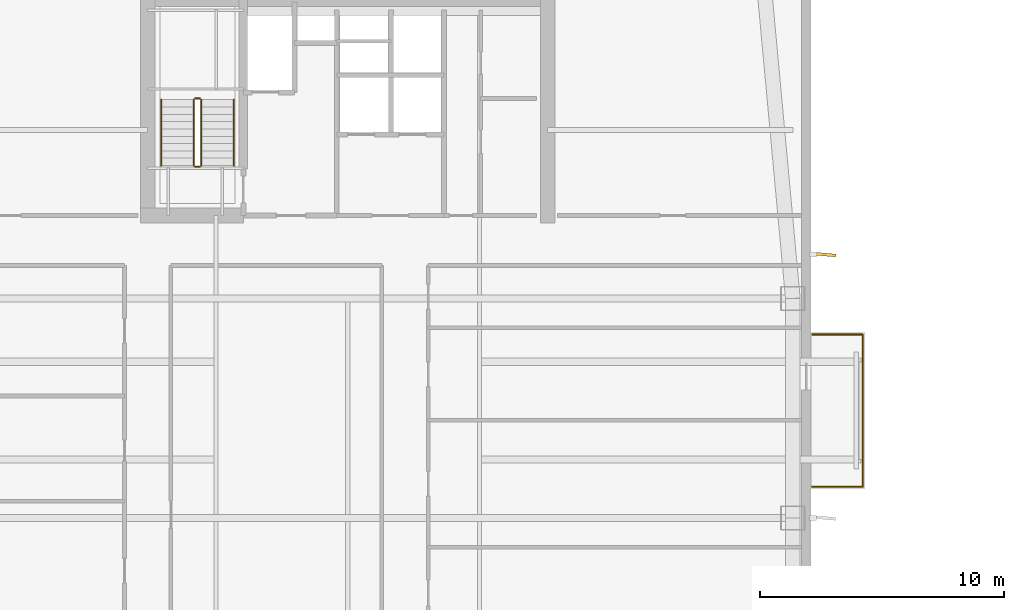
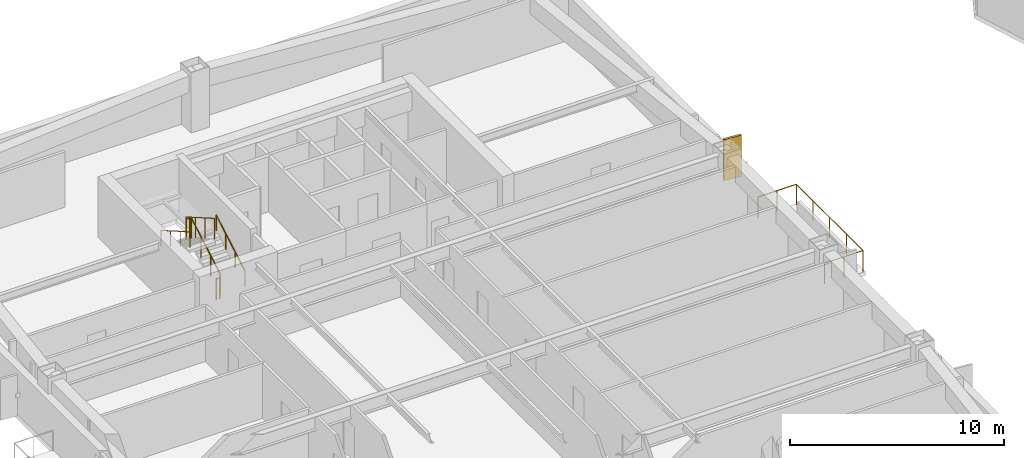
# One storey, part 21 of 23: 7 railings, 1 shading device.
"""IFC4 building model written with IfcOpenShell, lengths in metres."""

from ifc_helpers import new_model, si_unit, direction, frame, origin, origin_2d, place, context, subcontext, project, spatial, rectangle, circle, extrude, material, layer, layer_set, type_object, element, save


model = new_model("IFC4")

# Units and contexts
model_context = context("Model", 3, precision=1e-05, world=origin(), true_north=direction((0.0, 1.0)))
body_context = subcontext(model_context, "Body", "Model", "MODEL_VIEW")
ifc_project = project(units=[si_unit("LENGTHUNIT", "METRE"), si_unit("AREAUNIT", "SQUARE_METRE"), si_unit("VOLUMEUNIT", "CUBIC_METRE"), si_unit("PLANEANGLEUNIT", "RADIAN"), si_unit("MASSUNIT", "GRAM", prefix="KILO")], contexts=[model_context])

# Site, building, storey
site_placement = place(None, origin())
site = spatial("IfcSite", under=ifc_project, at=site_placement, CompositionType="ELEMENT")
building_placement = place(site_placement, origin())
building = spatial("IfcBuilding", under=site, at=building_placement, Name="Qiaolan Cultural Towers", CompositionType="ELEMENT")
storey_placement = place(building_placement, frame((0.0, 0.0, 100.050048828125)))
storey = spatial("IfcBuildingStorey", under=building, at=storey_placement, Name="L25", CompositionType="ELEMENT", Elevation=100.050048828125)

# Railings
ifc_material_1 = material(Name="Laminated SentryGlas & Stainless Steel S31608 Balustrade", Category="steel")
railing_type_1 = type_object("IfcRailingType", Name="GRD-TERR-1200", PredefinedType="BALUSTRADE", material=ifc_material_1)
railing_1_placement = place(storey_placement, frame((49.050048828125, 35.280029296875, 0.0)))
element("IfcRailing", 1, at=railing_1_placement, inside=storey, type_object=railing_type_1, Name="L25 T1 Tree Balcony Guardrail E", PredefinedType="BALUSTRADE", context=body_context, shape_type="SweptSolid", body=[
    extrude(circle(Radius=0.02392578125, at=origin_2d()), frame((0.0, 0.0, 1.17578125), z_axis=(1.0, 0.0, 0.0), x_axis=(0.0, 1.0, 0.0)), (0.0, 0.0, 1.0), 2.070068359375),
    extrude(circle(Radius=0.02392578125, at=origin_2d()), frame((2.070068359375, 0.0, 1.17578125), z_axis=(0.0, 1.0, 0.0), x_axis=(-1.0, 0.0, 0.0)), (0.0, 0.0, 1.0), 6.239990234375),
    extrude(circle(Radius=0.02392578125, at=origin_2d()), frame((2.070068359375, 6.239990234375, 1.17578125), z_axis=(-1.0, 0.0, 0.0), x_axis=(0.0, -1.0, 0.0)), (0.0, 0.0, 1.0), 2.070068359375),
    extrude(circle(Radius=0.02099609375, at=origin_2d()), origin(), (0.0, 0.0, 1.0), 1.15185546875),
    extrude(circle(Radius=0.02099609375, at=origin_2d()), frame((1.03515625, 0.0, 0.0)), (0.0, 0.0, 1.0), 1.15185546875),
    extrude(circle(Radius=0.02099609375, at=origin_2d()), frame((2.070068359375, 0.0, 0.0)), (0.0, 0.0, 1.0), 1.15185546875),
    extrude(circle(Radius=0.02099609375, at=origin_2d()), frame((2.070068359375, 1.56005859375, 0.0)), (0.0, 0.0, 1.0), 1.15185546875),
    extrude(circle(Radius=0.02099609375, at=origin_2d()), frame((2.070068359375, 3.1201171875, 0.0)), (0.0, 0.0, 1.0), 1.15185546875),
    extrude(circle(Radius=0.02099609375, at=origin_2d()), frame((2.070068359375, 4.679931640625, 0.0)), (0.0, 0.0, 1.0), 1.15185546875),
    extrude(circle(Radius=0.02099609375, at=origin_2d()), frame((2.070068359375, 6.239990234375, 0.0)), (0.0, 0.0, 1.0), 1.15185546875),
    extrude(circle(Radius=0.02099609375, at=origin_2d()), frame((1.03515625, 6.239990234375, 0.0)), (0.0, 0.0, 1.0), 1.15185546875),
    extrude(circle(Radius=0.02099609375, at=origin_2d()), frame((0.0, 6.239990234375, 0.0)), (0.0, 0.0, 1.0), 1.15185546875),
])
ifc_material_2 = material(Name="Galvanized Painted Steel Stair Guardrail", Category="steel")
railing_type_2 = type_object("IfcRailingType", Name="RL-STAIR-GRD", PredefinedType="GUARDRAIL", material=ifc_material_2)
railing_2_placement = place(storey_placement, frame((23.989990234375, 48.449951171875, 0.17236328125)))
element("IfcRailing", 2, at=railing_2_placement, inside=storey, type_object=railing_type_2, Name="L25 ST-W2 stair guard 1", PredefinedType="GUARDRAIL", context=body_context, shape_type="SweptSolid", body=[
    extrude(circle(Radius=0.02392578125, at=origin_2d()), frame((0.0, 0.0, 1.17578125), z_axis=(0.0, 0.866903762492, 0.498475542607), x_axis=(-1.0, 0.0, 0.0)), (0.0, 0.0, 1.0), 3.114501953125),
    extrude(circle(Radius=0.02099609375, at=origin_2d()), origin(), (0.0, 0.0, 1.0), 1.15185546875),
    extrude(circle(Radius=0.02099609375, at=origin_2d()), frame((0.0, 0.89990234375, 0.517578125)), (0.0, 0.0, 1.0), 1.15185546875),
    extrude(circle(Radius=0.02099609375, at=origin_2d()), frame((0.0, 1.800048828125, 1.034912109375)), (0.0, 0.0, 1.0), 1.15185546875),
    extrude(circle(Radius=0.02099609375, at=origin_2d()), frame((0.0, 2.699951171875, 1.552490234375)), (0.0, 0.0, 1.0), 1.15185546875),
])
railing_3_placement = place(storey_placement, frame((23.93994140625, 51.199951171875, 1.724853515625)))
element("IfcRailing", 3, at=railing_3_placement, inside=storey, type_object=railing_type_2, Name="L25 ST-W2 stair guard 2", PredefinedType="GUARDRAIL", context=body_context, shape_type="SweptSolid", body=[
    extrude(circle(Radius=0.02392578125, at=origin_2d()), frame((0.0, 0.0, 1.17578125), z_axis=(-1.0, 0.0, 0.0), x_axis=(0.0, -1.0, 0.0)), (0.0, 0.0, 1.0), 0.199951171875),
    extrude(circle(Radius=0.02099609375, at=origin_2d()), origin(), (0.0, 0.0, 1.0), 1.15185546875),
    extrude(circle(Radius=0.02099609375, at=origin_2d()), frame((-0.199951171875, 0.0, 0.0)), (0.0, 0.0, 1.0), 1.15185546875),
])
railing_4_placement = place(storey_placement, frame((23.68994140625, 51.14990234375, 1.8974609375)))
element("IfcRailing", 4, at=railing_4_placement, inside=storey, type_object=railing_type_2, Name="L25 ST-W2 stair guard 3", PredefinedType="GUARDRAIL", context=body_context, shape_type="SweptSolid", body=[
    extrude(circle(Radius=0.02392578125, at=origin_2d()), frame((0.0, 0.0, 1.17578125), z_axis=(0.0, -0.866903762492, 0.498475542607), x_axis=(1.0, 0.0, 0.0)), (0.0, 0.0, 1.0), 3.114501953125),
    extrude(circle(Radius=0.02099609375, at=origin_2d()), origin(), (0.0, 0.0, 1.0), 1.15185546875),
    extrude(circle(Radius=0.02099609375, at=origin_2d()), frame((0.0, -0.89990234375, 0.517578125)), (0.0, 0.0, 1.0), 1.15185546875),
    extrude(circle(Radius=0.02099609375, at=origin_2d()), frame((0.0, -1.800048828125, 1.034912109375)), (0.0, 0.0, 1.0), 1.15185546875),
    extrude(circle(Radius=0.02099609375, at=origin_2d()), frame((0.0, -2.699951171875, 1.552490234375)), (0.0, 0.0, 1.0), 1.15185546875),
])
railing_5_placement = place(storey_placement, frame((23.93994140625, 48.39990234375, 0.0)))
element("IfcRailing", 5, at=railing_5_placement, inside=storey, type_object=railing_type_2, Name="L25 ST-W2 stair guard 4", PredefinedType="GUARDRAIL", context=body_context, shape_type="SweptSolid", body=[
    extrude(circle(Radius=0.02392578125, at=origin_2d()), frame((0.0, 0.0, 1.17578125), z_axis=(-1.0, 0.0, 0.0), x_axis=(0.0, -1.0, 0.0)), (0.0, 0.0, 1.0), 0.199951171875),
    extrude(circle(Radius=0.02099609375, at=origin_2d()), origin(), (0.0, 0.0, 1.0), 1.15185546875),
    extrude(circle(Radius=0.02099609375, at=origin_2d()), frame((-0.199951171875, 0.0, 0.0)), (0.0, 0.0, 1.0), 1.15185546875),
])
ifc_material_3 = material(Name="Stainless Steel S30408 Tubular Handrail", Category="steel")
railing_type_3 = type_object("IfcRailingType", Name="RL-STAIR-HR", PredefinedType="HANDRAIL", material=ifc_material_3)
railing_6_placement = place(storey_placement, frame((25.330078125, 48.449951171875, 0.17236328125)))
element("IfcRailing", 6, at=railing_6_placement, inside=storey, type_object=railing_type_3, Name="L25 ST-W2 stair handrail 1", PredefinedType="HANDRAIL", context=body_context, shape_type="SweptSolid", body=[
    extrude(circle(Radius=0.02392578125, at=origin_2d()), frame((0.0, 0.0, 0.8759765625), z_axis=(0.0, 0.866903762492, 0.498475542607), x_axis=(-1.0, 0.0, 0.0)), (0.0, 0.0, 1.0), 3.114501953125),
    extrude(circle(Radius=0.02099609375, at=origin_2d()), origin(), (0.0, 0.0, 1.0), 0.851806640625),
    extrude(circle(Radius=0.02099609375, at=origin_2d()), frame((0.0, 0.89990234375, 0.517578125)), (0.0, 0.0, 1.0), 0.851806640625),
    extrude(circle(Radius=0.02099609375, at=origin_2d()), frame((0.0, 1.800048828125, 1.034912109375)), (0.0, 0.0, 1.0), 0.851806640625),
    extrude(circle(Radius=0.02099609375, at=origin_2d()), frame((0.0, 2.699951171875, 1.552490234375)), (0.0, 0.0, 1.0), 0.851806640625),
])
railing_7_placement = place(storey_placement, frame((22.35009765625, 51.14990234375, 1.8974609375)))
element("IfcRailing", 7, at=railing_7_placement, inside=storey, type_object=railing_type_3, Name="L25 ST-W2 stair handrail 2", PredefinedType="HANDRAIL", context=body_context, shape_type="SweptSolid", body=[
    extrude(circle(Radius=0.02392578125, at=origin_2d()), frame((0.0, 0.0, 0.8759765625), z_axis=(0.0, -0.866903762492, 0.498475542607), x_axis=(1.0, 0.0, 0.0)), (0.0, 0.0, 1.0), 3.114501953125),
    extrude(circle(Radius=0.02099609375, at=origin_2d()), origin(), (0.0, 0.0, 1.0), 0.851806640625),
    extrude(circle(Radius=0.02099609375, at=origin_2d()), frame((0.0, -0.89990234375, 0.517578125)), (0.0, 0.0, 1.0), 0.851806640625),
    extrude(circle(Radius=0.02099609375, at=origin_2d()), frame((0.0, -1.800048828125, 1.034912109375)), (0.0, 0.0, 1.0), 0.851806640625),
    extrude(circle(Radius=0.02099609375, at=origin_2d()), frame((0.0, -2.699951171875, 1.552490234375)), (0.0, 0.0, 1.0), 0.851806640625),
])

# Shading device
ifc_material_4 = material(Name="Dark Basalt Honed Precast Terracotta Fin", Category="masonry")
ifc_layer = layer(ifc_material_4, 0.1201171875)
ifc_layer_set = layer_set([ifc_layer], Name="Dark Basalt Honed Precast Terracotta Fin")
shading_device_type = type_object("IfcShadingDeviceType", Name="SHD-FIN-DARK", PredefinedType="USERDEFINED", material=ifc_layer_set)
shading_device_placement = place(storey_placement, frame((49.56005859375, 44.800048828125, 0.099853515625), z_axis=(0.0, 0.0, 1.0), x_axis=(0.995993912618, -0.089421060319, 0.0)))
element("IfcShadingDevice", 8, at=shading_device_placement, inside=storey, type_object=shading_device_type, Name="L25 T1 Expressive Precast Vertical Fin E3", ObjectType="FIN", PredefinedType="USERDEFINED", context=body_context, shape_type="SweptSolid", body=[
    extrude(rectangle(XDim=0.89990234375, YDim=0.1201171875, at=origin_2d()), origin(), (0.0, 0.0, 1.0), 2.35009765625),
])

save(model, "model.ifc")
